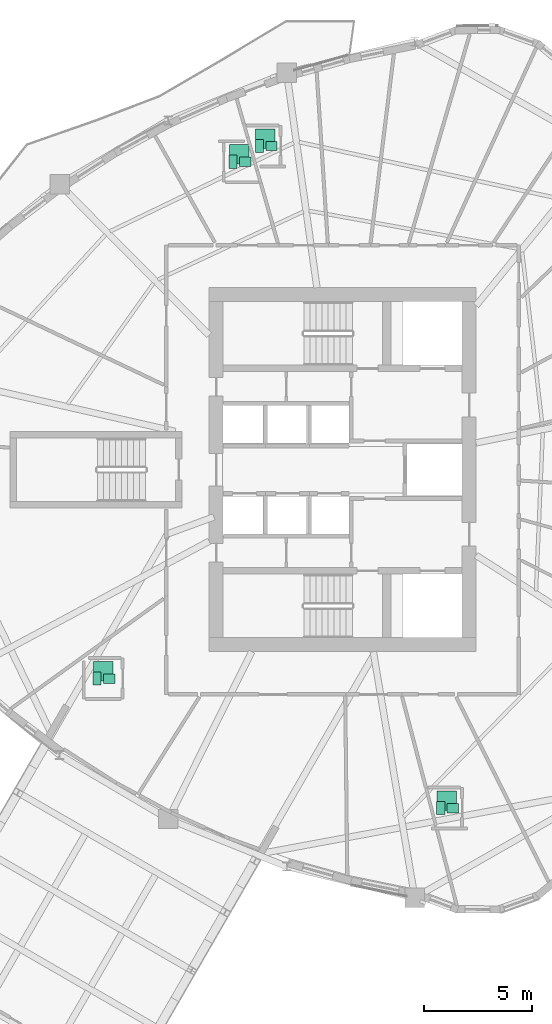
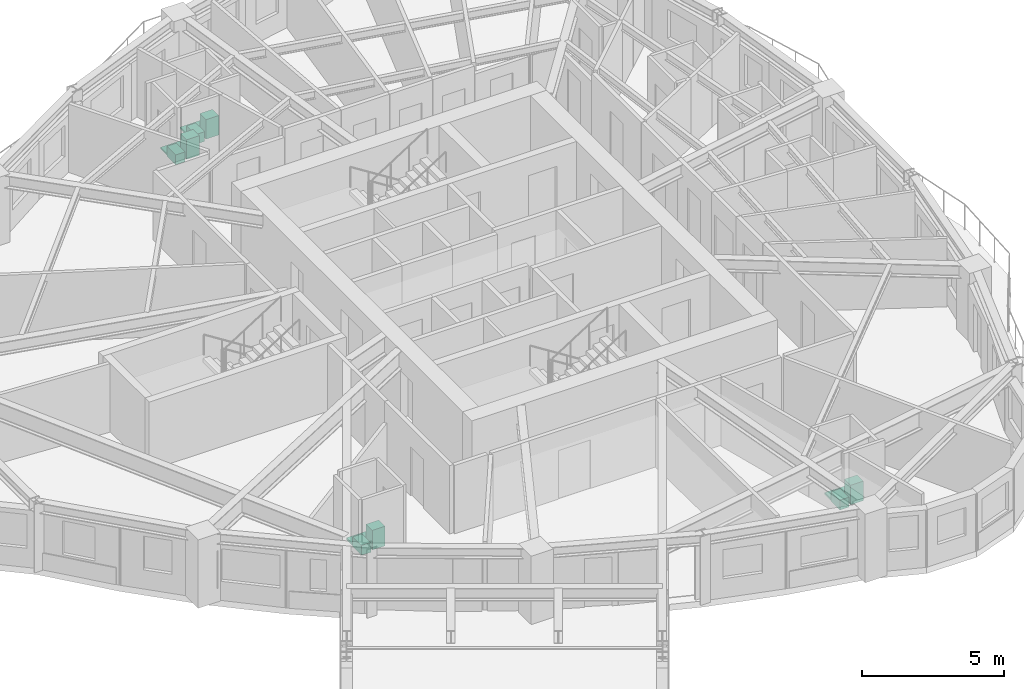
# One storey, part 17 of 17: 12 sanitary terminals.
"""IFC4 building model written with IfcOpenShell, lengths in metres."""

from ifc_helpers import new_model, si_unit, direction, frame, origin, origin_2d, place, context, subcontext, project, spatial, rectangle, extrude, source, transform, mapped, material, type_object, element, save


model = new_model("IFC4")

# Units and contexts
model_context = context("Model", 3, precision=1e-05, world=origin(), true_north=direction((0.0, 1.0)))
body_context = subcontext(model_context, "Body", "Model", "MODEL_VIEW")
ifc_project = project(units=[si_unit("LENGTHUNIT", "METRE"), si_unit("AREAUNIT", "SQUARE_METRE"), si_unit("VOLUMEUNIT", "CUBIC_METRE"), si_unit("PLANEANGLEUNIT", "RADIAN"), si_unit("MASSUNIT", "GRAM", prefix="KILO")], contexts=[model_context])

# Site, building, storey
site_placement = place(None, origin())
site = spatial("IfcSite", under=ifc_project, at=site_placement, CompositionType="ELEMENT")
building_placement = place(site_placement, origin())
building = spatial("IfcBuilding", under=site, at=building_placement, Name="Qafzar Sky-Pleat Residences", CompositionType="ELEMENT")
storey_placement = place(building_placement, frame((0.0, 0.0, 112.0)))
storey = spatial("IfcBuildingStorey", under=building, at=storey_placement, Name="L33", CompositionType="ELEMENT", Elevation=112.0)

# Sanitary terminals
ifc_material_1 = material(Name="Vitreous china sanitaryware")
sanitary_terminal_type_1 = type_object("IfcSanitaryTerminalType", Name="SAN-WC-PAN", PredefinedType="TOILETPAN", material=ifc_material_1)
shared_shape_1 = source(origin(), body_context, "Body", "SweptSolid", [
    extrude(rectangle(XDim=0.3798828125, YDim=0.6201171875, at=origin_2d()), origin(), (0.0, 0.0, 1.0), 0.419921875),
])
for number, where, z_axis, x_axis, name in (
    (1, (25.268310546875, 40.301025390625, 0.0), (0.0, 0.0, 1.0), (1.0, 0.0, 0.0), "L33 En-suite Bathroom 5 WC Pan"),
    (2, (26.4853515625, 41.031005859375, 0.0), (0.0, 0.0, 1.0), (1.0, 0.0, 0.0), "L33 En-suite Bathroom 6 WC Pan"),
    (3, (18.952880859375, 16.301025390625, 0.0), (0.0, 0.0, 1.0), (1.0, 0.0, 0.0), "L33 En-suite Bathroom 7 WC Pan"),
    (4, (34.904296875, 10.2900390625, 0.0), (0.0, 0.0, 1.0), (1.0, 0.0, 0.0), "L33 En-suite Bathroom 8 WC Pan"),
):
    element("IfcSanitaryTerminal", number, at=place(storey_placement, frame(where, z_axis=z_axis, x_axis=x_axis)), inside=storey, type_object=sanitary_terminal_type_1, Name=name, PredefinedType="TOILETPAN", context=body_context, shape_type="MappedRepresentation", body=[
        mapped(shared_shape_1, transform((0.0, 0.0, 0.0), x_axis=(1.0, 0.0, 0.0), y_axis=(0.0, 1.0, 0.0), z_axis=(0.0, 0.0, 1.0), scale=1.0)),
    ])
sanitary_terminal_type_2 = type_object("IfcSanitaryTerminalType", Name="SAN-BASIN", PredefinedType="WASHHANDBASIN", material=ifc_material_1)
shared_shape_2 = source(origin(), body_context, "Body", "SweptSolid", [
    extrude(rectangle(XDim=0.52001953125, YDim=0.43994140625, at=origin_2d()), origin(), (0.0, 0.0, 1.0), 0.840087890625),
])
for number, where, z_axis, x_axis, name in (
    (5, (25.828369140625, 40.301025390625, 0.0), (0.0, 0.0, 1.0), (1.0, 0.0, 0.0), "L33 En-suite Bathroom 5 Pedestal Washbasin"),
    (6, (27.04541015625, 41.031005859375, 0.0), (0.0, 0.0, 1.0), (1.0, 0.0, 0.0), "L33 En-suite Bathroom 6 Pedestal Washbasin"),
    (7, (19.512939453125, 16.301025390625, 0.0), (0.0, 0.0, 1.0), (1.0, 0.0, 0.0), "L33 En-suite Bathroom 7 Pedestal Washbasin"),
    (8, (35.464111328125, 10.2900390625, 0.0), (0.0, 0.0, 1.0), (1.0, 0.0, 0.0), "L33 En-suite Bathroom 8 Pedestal Washbasin"),
):
    element("IfcSanitaryTerminal", number, at=place(storey_placement, frame(where, z_axis=z_axis, x_axis=x_axis)), inside=storey, type_object=sanitary_terminal_type_2, Name=name, PredefinedType="WASHHANDBASIN", context=body_context, shape_type="MappedRepresentation", body=[
        mapped(shared_shape_2, transform((0.0, 0.0, 0.0), x_axis=(1.0, 0.0, 0.0), y_axis=(0.0, 1.0, 0.0), z_axis=(0.0, 0.0, 1.0), scale=1.0)),
    ])
ifc_material_2 = material(Name="Vitreous china and acrylic tray")
sanitary_terminal_type_3 = type_object("IfcSanitaryTerminalType", Name="SAN-SHOWER", PredefinedType="SHOWER", material=ifc_material_2)
shared_shape_3 = source(origin(), body_context, "Body", "SweptSolid", [
    extrude(rectangle(XDim=0.89990234375, YDim=0.89990234375, at=origin_2d()), origin(), (0.0, 0.0, 1.0), 0.080078125),
])
for number, where, z_axis, x_axis, name in (
    (9, (25.54833984375, 40.64111328125, 0.0), (0.0, 0.0, 1.0), (1.0, 0.0, 0.0), "L33 En-suite Bathroom 5 Walk-In Shower"),
    (10, (26.765380859375, 41.37109375, 0.0), (0.0, 0.0, 1.0), (1.0, 0.0, 0.0), "L33 En-suite Bathroom 6 Walk-In Shower"),
    (11, (19.23291015625, 16.64111328125, 0.0), (0.0, 0.0, 1.0), (1.0, 0.0, 0.0), "L33 En-suite Bathroom 7 Walk-In Shower"),
    (12, (35.18408203125, 10.6298828125, 0.0), (0.0, 0.0, 1.0), (1.0, 0.0, 0.0), "L33 En-suite Bathroom 8 Walk-In Shower"),
):
    element("IfcSanitaryTerminal", number, at=place(storey_placement, frame(where, z_axis=z_axis, x_axis=x_axis)), inside=storey, type_object=sanitary_terminal_type_3, Name=name, PredefinedType="SHOWER", context=body_context, shape_type="MappedRepresentation", body=[
        mapped(shared_shape_3, transform((0.0, 0.0, 0.0), x_axis=(1.0, 0.0, 0.0), y_axis=(0.0, 1.0, 0.0), z_axis=(0.0, 0.0, 1.0), scale=1.0)),
    ])

save(model, "model.ifc")
